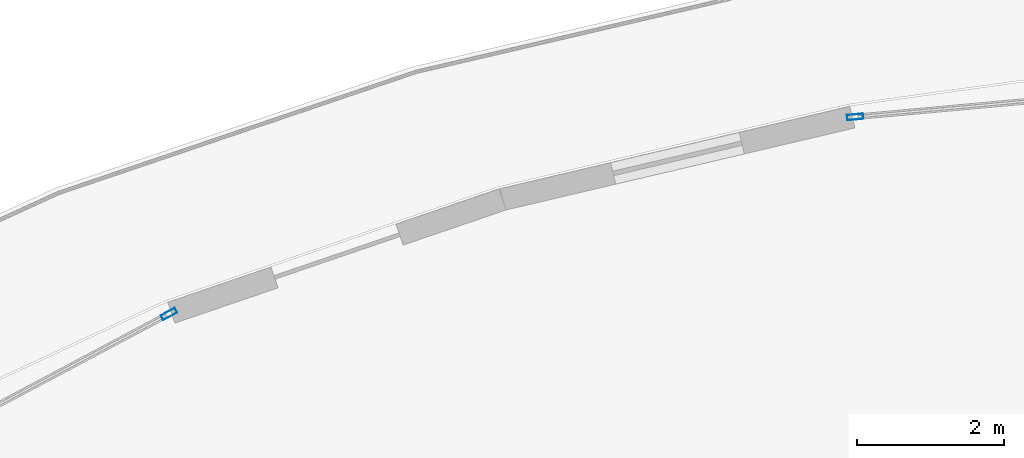
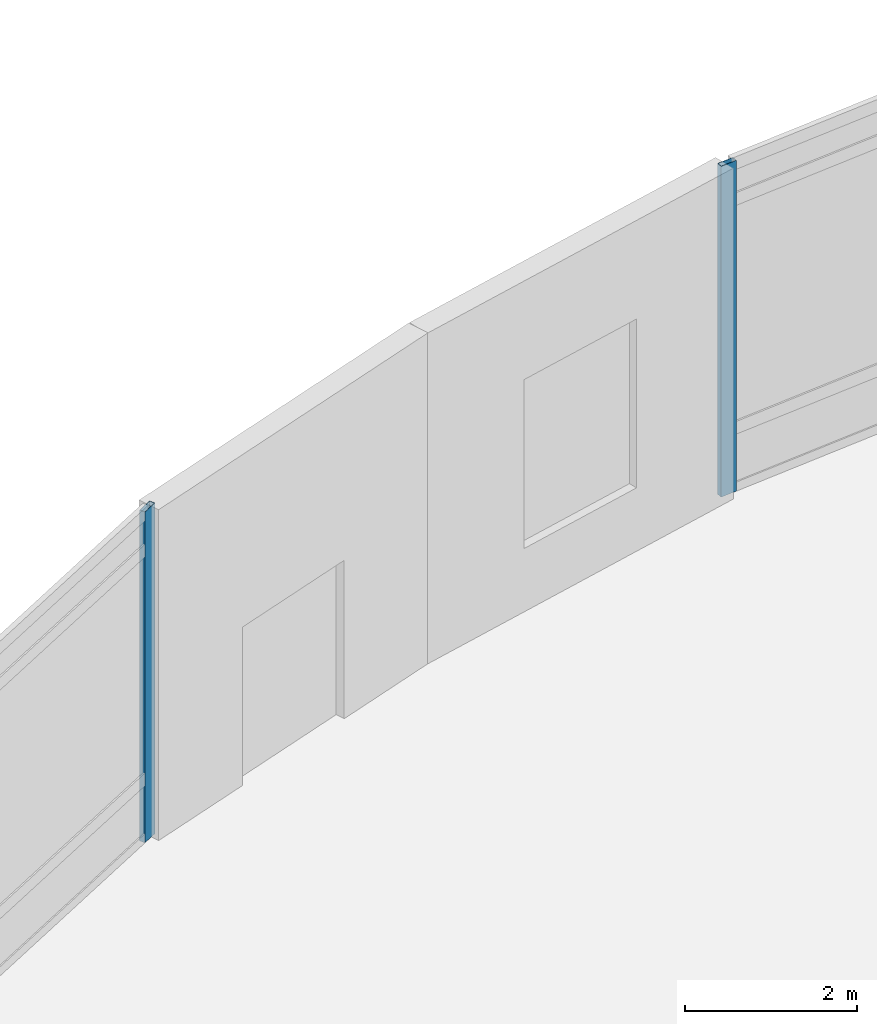
# One storey, part 17 of 37: 2 members, 2 elements without a shape of their own.
"""IFC4 building model written with IfcOpenShell, lengths in metres."""

from ifc_helpers import new_model, si_unit, direction, frame, origin, origin_2d, place, context, subcontext, project, spatial, hollow_rectangle, extrude, material, layer, layer_set, material_profile, profile_set, type_object, element, aggregate, save


model = new_model("IFC4")

# Units and contexts
model_context = context("Model", 3, precision=1e-05, world=origin(), true_north=direction((0.0, 1.0)))
body_context = subcontext(model_context, "Body", "Model", "MODEL_VIEW")
ifc_project = project(units=[si_unit("LENGTHUNIT", "METRE"), si_unit("AREAUNIT", "SQUARE_METRE"), si_unit("VOLUMEUNIT", "CUBIC_METRE"), si_unit("PLANEANGLEUNIT", "RADIAN"), si_unit("MASSUNIT", "GRAM", prefix="KILO")], contexts=[model_context])

# Site, building, storey
site_placement = place(None, origin())
site = spatial("IfcSite", under=ifc_project, at=site_placement, CompositionType="ELEMENT")
building_placement = place(site_placement, origin())
building = spatial("IfcBuilding", under=site, at=building_placement, Name="Nuhasar Tower", CompositionType="ELEMENT")
storey_placement = place(building_placement, frame((0.0, 0.0, 6.0)))
storey = spatial("IfcBuildingStorey", under=building, at=storey_placement, Name="L01", CompositionType="ELEMENT", Elevation=6.0)

# Curtain wall, member
ifc_material = material(Name="Aluminium 6063-T6", Category="aluminium")
ifc_layer = layer(ifc_material, 0.219970703125)
ifc_layer_set = layer_set([ifc_layer], Name="Aluminium 6063-T6")
curtain_wall_type = type_object("IfcCurtainWallType", Name="CW-PODIUM", PredefinedType="NOTDEFINED", material=ifc_layer_set)
curtain_wall_1_placement = place(storey_placement, origin())
curtain_wall_1 = element("IfcCurtainWall", 1, at=curtain_wall_1_placement, inside=storey, type_object=curtain_wall_type, Name="L01 Podium Curtain Wall Bay 07", PredefinedType="NOTDEFINED")
ifc_material_profile = material_profile(ifc_material, hollow_rectangle(XDim=0.074951171875, YDim=0.219970703125, WallThickness=0.0048828125, at=origin_2d()), Name="CWM-1")
ifc_profile_set = profile_set([ifc_material_profile], Name="Aluminium 6063-T6")
member_type = type_object("IfcMemberType", Name="CW-MUL-S1", PredefinedType="MULLION", material=ifc_profile_set)
member_1_placement = place(storey_placement, frame((29.08837890625, 52.535400390625, 0.0), z_axis=(0.0, 0.0, 1.0), x_axis=(0.090887719437, -0.995861146172, 0.0)))
member_1 = element("IfcMember", 2, at=member_1_placement, type_object=member_type, Name="CW-P1 mullion 2", PredefinedType="MULLION", context=body_context, shape_type="SweptSolid", body=[
    extrude(hollow_rectangle(XDim=0.074951171875, YDim=0.219970703125, WallThickness=0.0048828125, at=origin_2d()), origin(), (0.0, 0.0, 1.0), 4.699951171875),
])
aggregate(curtain_wall_1, [member_1])

curtain_wall_2_placement = place(storey_placement, origin())
curtain_wall_2 = element("IfcCurtainWall", 3, at=curtain_wall_2_placement, inside=storey, type_object=curtain_wall_type, Name="L01 Podium Curtain Wall Bay 09", PredefinedType="NOTDEFINED")
member_2_placement = place(storey_placement, frame((19.746826171875, 49.853271484375, 0.0), z_axis=(0.0, 0.0, 1.0), x_axis=(0.469563312429, -0.882898802593, 0.0)))
member_2 = element("IfcMember", 4, at=member_2_placement, type_object=member_type, Name="CW-P1 mullion 1", PredefinedType="MULLION", context=body_context, shape_type="SweptSolid", body=[
    extrude(hollow_rectangle(XDim=0.074951171875, YDim=0.219970703125, WallThickness=0.0048828125, at=origin_2d()), origin(), (0.0, 0.0, 1.0), 4.699951171875),
])
aggregate(curtain_wall_2, [member_2])

save(model, "model.ifc")
